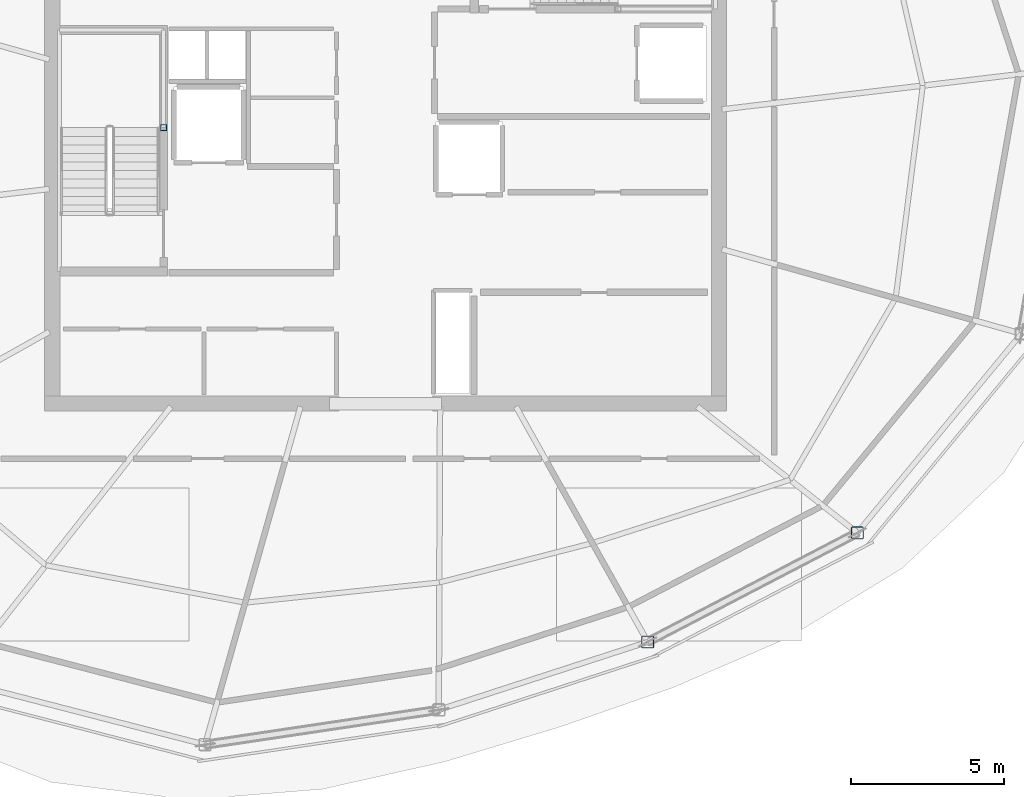
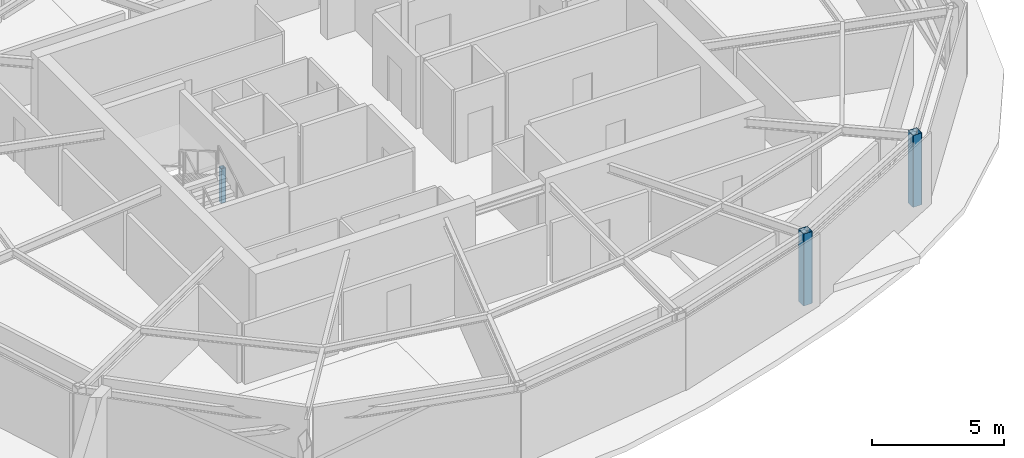
# One storey, part 2 of 10: 3 columns.
"""IFC4 building model written with IfcOpenShell, lengths in metres."""

from ifc_helpers import new_model, si_unit, direction, frame, origin, origin_2d, place, context, subcontext, project, spatial, hollow_rectangle, extrude, material, material_profile, profile_set, type_object, element, save


model = new_model("IFC4")

# Units and contexts
model_context = context("Model", 3, precision=1e-05, world=origin(), true_north=direction((0.0, 1.0)))
body_context = subcontext(model_context, "Body", "Model", "MODEL_VIEW")
ifc_project = project(units=[si_unit("LENGTHUNIT", "METRE"), si_unit("AREAUNIT", "SQUARE_METRE"), si_unit("VOLUMEUNIT", "CUBIC_METRE"), si_unit("PLANEANGLEUNIT", "RADIAN"), si_unit("MASSUNIT", "GRAM", prefix="KILO")], contexts=[model_context])

# Site, building, storey
site_placement = place(None, origin())
site = spatial("IfcSite", under=ifc_project, at=site_placement, CompositionType="ELEMENT")
building_placement = place(site_placement, origin())
building = spatial("IfcBuilding", under=site, at=building_placement, Name="Kazma Halo Residences", CompositionType="ELEMENT")
storey_placement = place(building_placement, frame((0.0, 0.0, 356.0)))
storey = spatial("IfcBuildingStorey", under=building, at=storey_placement, Name="L89", CompositionType="ELEMENT", Elevation=356.0)

# Columns
ifc_material = material(Name="Steel S355", Category="steel")
ifc_material_profile_1 = material_profile(ifc_material, hollow_rectangle(XDim=0.39990234375, YDim=0.39990234375, WallThickness=0.02001953125, InnerFilletRadius=0.02001953125, OuterFilletRadius=0.0400390625, at=origin_2d()), Name="SHS400x400x20")
ifc_profile_set_1 = profile_set([ifc_material_profile_1], Name="Steel S355")
column_type_1 = type_object("IfcColumnType", Name="COL-CROWN-SHS400", PredefinedType="COLUMN", material=ifc_profile_set_1)
for number, where, z_axis, x_axis, name in (
    (1, (56.9765625, 25.97119140625, 0.0), (0.0, 0.0, 1.0), (1.0, 0.0, 0.0), "L89 CROWN FRAME perimeter column P13"),
    (2, (63.815185546875, 29.532470703125, 0.0), (0.0, 0.0, 1.0), (1.0, 0.0, 0.0), "L89 CROWN FRAME perimeter column P14"),
):
    element("IfcColumn", number, at=place(storey_placement, frame(where, z_axis=z_axis, x_axis=x_axis)), inside=storey, type_object=column_type_1, Name=name, PredefinedType="COLUMN", context=body_context, shape_type="SweptSolid", body=[
        extrude(hollow_rectangle(XDim=0.39990234375, YDim=0.39990234375, WallThickness=0.02001953125, InnerFilletRadius=0.02001953125, OuterFilletRadius=0.0400390625, at=origin_2d()), origin(), (0.0, 0.0, 1.0), 3.320068359375),
    ])
ifc_material_profile_2 = material_profile(ifc_material, hollow_rectangle(XDim=0.199951171875, YDim=0.199951171875, WallThickness=0.010009765625, InnerFilletRadius=0.010009765625, OuterFilletRadius=0.02001953125, at=origin_2d()), Name="SHS200x200x10")
ifc_profile_set_2 = profile_set([ifc_material_profile_2], Name="Steel S355")
column_type_2 = type_object("IfcColumnType", Name="COL-LP-SHS200", PredefinedType="COLUMN", material=ifc_profile_set_2)
column_placement = place(storey_placement, frame((41.179931640625, 42.75, 0.0), z_axis=(0.0, 0.0, 1.0), x_axis=(1.0, 0.0, 0.0)))
element("IfcColumn", 3, at=column_placement, inside=storey, type_object=column_type_2, Name="L89 ST-01 landing pilaster 1", PredefinedType="COLUMN", context=body_context, shape_type="SweptSolid", body=[
    extrude(hollow_rectangle(XDim=0.199951171875, YDim=0.199951171875, WallThickness=0.010009765625, InnerFilletRadius=0.010009765625, OuterFilletRadius=0.02001953125, at=origin_2d()), origin(), (0.0, 0.0, 1.0), 1.594970703125),
])

save(model, "model.ifc")
